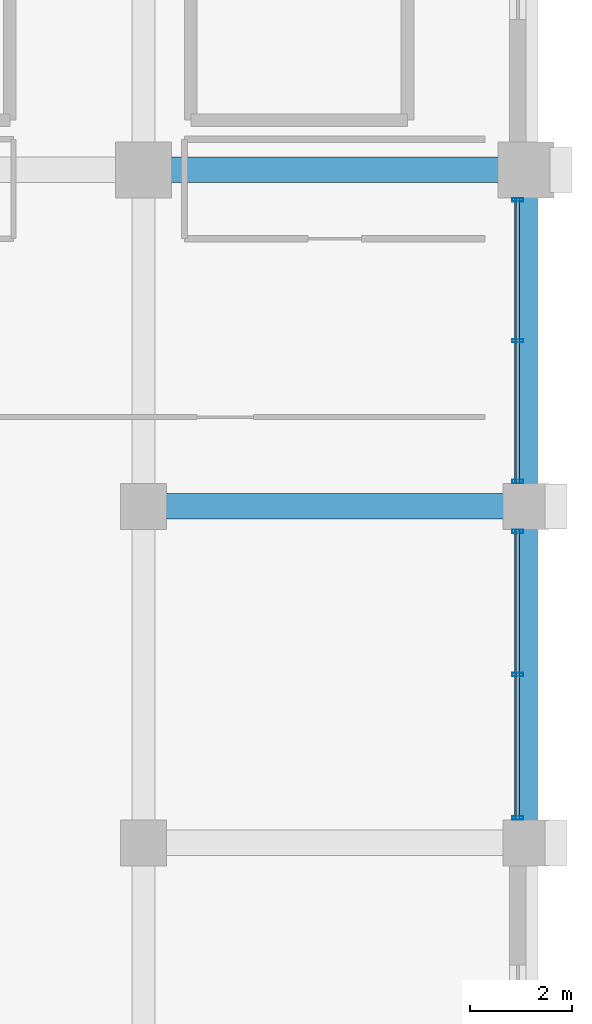
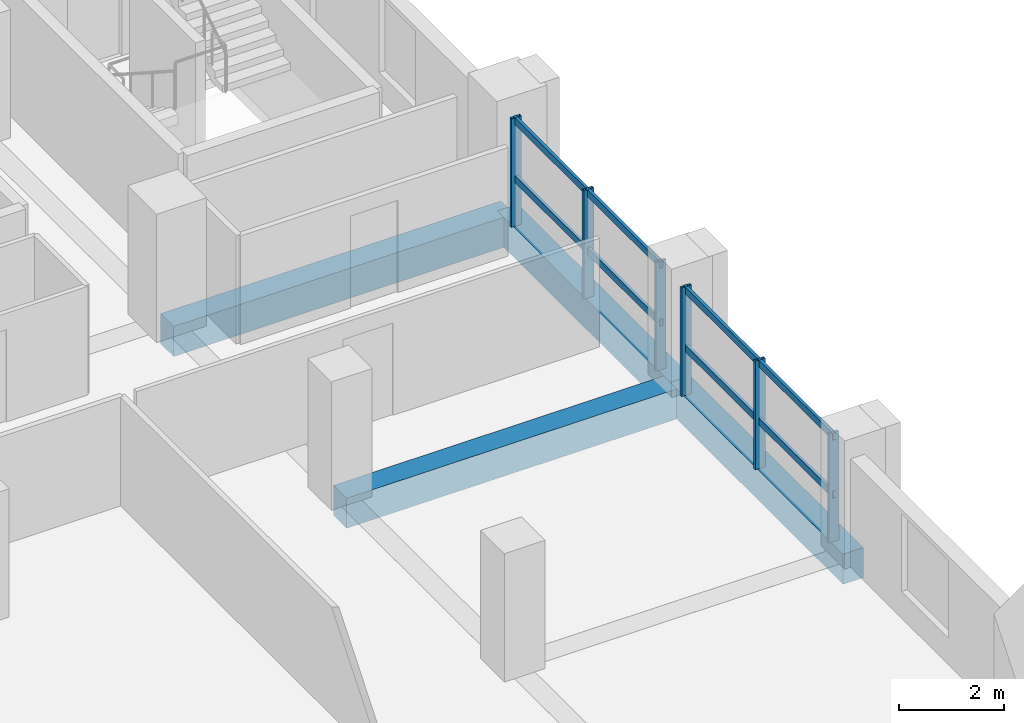
# One storey, part 14 of 21: 10 members, 4 beams, 2 elements without a shape of their own.
"""IFC4 building model written with IfcOpenShell, lengths in metres."""

from ifc_helpers import new_model, si_unit, direction, frame, origin, origin_2d, place, context, subcontext, project, spatial, rectangle, hollow_rectangle, extrude, material, material_profile, profile_set, type_object, element, aggregate, save


model = new_model("IFC4")

# Units and contexts
model_context = context("Model", 3, precision=1e-05, world=origin(), true_north=direction((0.0, 1.0)))
body_context = subcontext(model_context, "Body", "Model", "MODEL_VIEW")
ifc_project = project(units=[si_unit("LENGTHUNIT", "METRE"), si_unit("AREAUNIT", "SQUARE_METRE"), si_unit("VOLUMEUNIT", "CUBIC_METRE"), si_unit("PLANEANGLEUNIT", "RADIAN"), si_unit("MASSUNIT", "GRAM", prefix="KILO")], contexts=[model_context])

# Site, building, storey
site_placement = place(None, origin())
site = spatial("IfcSite", under=ifc_project, at=site_placement, CompositionType="ELEMENT")
building_placement = place(site_placement, origin())
building = spatial("IfcBuilding", under=site, at=building_placement, Name="Akrevak Sports Hall", CompositionType="ELEMENT")
storey_placement = place(building_placement, frame((0.0, 0.0, 27.550048828125)))
storey = spatial("IfcBuildingStorey", under=building, at=storey_placement, Name="L05", CompositionType="ELEMENT", Elevation=27.550048828125)

# Curtain wall, members
ifc_material_1 = material(Name="Anodized Bronze Aluminium & Low-E Glass", Category="aluminium")
curtain_wall_type = type_object("IfcCurtainWallType", Name="ARC-CW-TWR-68x30", PredefinedType="NOTDEFINED", material=ifc_material_1)
curtain_wall_1_placement = place(storey_placement, origin())
curtain_wall_1 = element("IfcCurtainWall", 1, at=curtain_wall_1_placement, inside=storey, type_object=curtain_wall_type, Name="Curtain Wall CW-L05-E15", PredefinedType="NOTDEFINED")
ifc_material_2 = material(Name="Anodized Bronze Aluminium", Category="aluminium")
ifc_material_profile_1 = material_profile(ifc_material_2, hollow_rectangle(XDim=0.06494140625, YDim=0.219970703125, WallThickness=0.00439453125, at=origin_2d()), Name="CWM 65x220", Category="aluminium")
ifc_profile_set_1 = profile_set([ifc_material_profile_1], Name="Anodized Bronze Aluminium")
member_type_1 = type_object("IfcMemberType", Name="ARC-CWM-70x160", PredefinedType="MULLION", material=ifc_profile_set_1)
member_1_placement = place(storey_placement, frame((115.340087890625, 42.489990234375, 0.0), z_axis=(0.0, 0.0, 1.0), x_axis=(0.0, 1.0, 0.0)))
member_1 = element("IfcMember", 2, at=member_1_placement, type_object=member_type_1, Name="Curtain Wall Mullion CW-L05-E15-M1", PredefinedType="MULLION", context=body_context, shape_type="SweptSolid", body=[
    extrude(hollow_rectangle(XDim=0.06494140625, YDim=0.219970703125, WallThickness=0.00439453125, at=origin_2d()), origin(), (0.0, 0.0, 1.0), 2.530029296875),
])
member_2_placement = place(storey_placement, frame((115.340087890625, 45.300048828125, 0.0), z_axis=(0.0, 0.0, 1.0), x_axis=(0.0, 1.0, 0.0)))
member_2 = element("IfcMember", 3, at=member_2_placement, type_object=member_type_1, Name="Curtain Wall Mullion CW-L05-E15-M2", PredefinedType="MULLION", context=body_context, shape_type="SweptSolid", body=[
    extrude(hollow_rectangle(XDim=0.06494140625, YDim=0.219970703125, WallThickness=0.00439453125, at=origin_2d()), origin(), (0.0, 0.0, 1.0), 2.530029296875),
])
member_3_placement = place(storey_placement, frame((115.340087890625, 48.110107421875, 0.0), z_axis=(0.0, 0.0, 1.0), x_axis=(0.0, 1.0, 0.0)))
member_3 = element("IfcMember", 4, at=member_3_placement, type_object=member_type_1, Name="Curtain Wall Mullion CW-L05-E15-M3", PredefinedType="MULLION", context=body_context, shape_type="SweptSolid", body=[
    extrude(hollow_rectangle(XDim=0.06494140625, YDim=0.219970703125, WallThickness=0.00439453125, at=origin_2d()), origin(), (0.0, 0.0, 1.0), 2.530029296875),
])

curtain_wall_2_placement = place(storey_placement, origin())
curtain_wall_2 = element("IfcCurtainWall", 5, at=curtain_wall_2_placement, inside=storey, type_object=curtain_wall_type, Name="Curtain Wall CW-L05-E16", PredefinedType="NOTDEFINED")
member_4_placement = place(storey_placement, frame((115.340087890625, 49.090087890625, 0.0), z_axis=(0.0, 0.0, 1.0), x_axis=(0.0, 1.0, 0.0)))
member_4 = element("IfcMember", 6, at=member_4_placement, type_object=member_type_1, Name="Curtain Wall Mullion CW-L05-E16-M1", PredefinedType="MULLION", context=body_context, shape_type="SweptSolid", body=[
    extrude(hollow_rectangle(XDim=0.06494140625, YDim=0.219970703125, WallThickness=0.00439453125, at=origin_2d()), origin(), (0.0, 0.0, 1.0), 2.530029296875),
])
member_5_placement = place(storey_placement, frame((115.340087890625, 51.85009765625, 0.0), z_axis=(0.0, 0.0, 1.0), x_axis=(0.0, 1.0, 0.0)))
member_5 = element("IfcMember", 7, at=member_5_placement, type_object=member_type_1, Name="Curtain Wall Mullion CW-L05-E16-M2", PredefinedType="MULLION", context=body_context, shape_type="SweptSolid", body=[
    extrude(hollow_rectangle(XDim=0.06494140625, YDim=0.219970703125, WallThickness=0.00439453125, at=origin_2d()), origin(), (0.0, 0.0, 1.0), 2.530029296875),
])
member_6_placement = place(storey_placement, frame((115.340087890625, 54.610107421875, 0.0), z_axis=(0.0, 0.0, 1.0), x_axis=(0.0, 1.0, 0.0)))
member_6 = element("IfcMember", 8, at=member_6_placement, type_object=member_type_1, Name="Curtain Wall Mullion CW-L05-E16-M3", PredefinedType="MULLION", context=body_context, shape_type="SweptSolid", body=[
    extrude(hollow_rectangle(XDim=0.06494140625, YDim=0.219970703125, WallThickness=0.00439453125, at=origin_2d()), origin(), (0.0, 0.0, 1.0), 2.530029296875),
])

# Member
ifc_material_profile_2 = material_profile(ifc_material_2, hollow_rectangle(XDim=0.06494140625, YDim=0.159912109375, WallThickness=0.00390625, at=origin_2d()), Name="CWT 65x160", Category="aluminium")
ifc_profile_set_2 = profile_set([ifc_material_profile_2], Name="Anodized Bronze Aluminium")
member_type_2 = type_object("IfcMemberType", Name="ARC-CWT-70x130", PredefinedType="USERDEFINED", material=ifc_profile_set_2)
member_7_placement = place(storey_placement, frame((115.340087890625, 42.449951171875, 1.099853515625), z_axis=(0.0, 1.0, 0.0), x_axis=(-1.0, 0.0, 0.0)))
member_7 = element("IfcMember", 9, at=member_7_placement, type_object=member_type_2, Name="Curtain Wall Transom CW-L05-E15-T1", ObjectType="TRANSOM", PredefinedType="USERDEFINED", context=body_context, shape_type="SweptSolid", body=[
    extrude(hollow_rectangle(XDim=0.06494140625, YDim=0.159912109375, WallThickness=0.00390625, at=origin_2d()), origin(), (0.0, 0.0, 1.0), 5.699951171875),
])

member_8_placement = place(storey_placement, frame((115.340087890625, 42.449951171875, 2.449951171875), z_axis=(0.0, 1.0, 0.0), x_axis=(-1.0, 0.0, 0.0)))
member_8 = element("IfcMember", 10, at=member_8_placement, type_object=member_type_2, Name="Curtain Wall Transom CW-L05-E15-T2", ObjectType="TRANSOM", PredefinedType="USERDEFINED", context=body_context, shape_type="SweptSolid", body=[
    extrude(hollow_rectangle(XDim=0.06494140625, YDim=0.159912109375, WallThickness=0.00390625, at=origin_2d()), origin(), (0.0, 0.0, 1.0), 5.699951171875),
])

aggregate(curtain_wall_1, [member_1, member_2, member_3, member_7, member_8])

member_9_placement = place(storey_placement, frame((115.340087890625, 49.050048828125, 1.099853515625), z_axis=(0.0, 1.0, 0.0), x_axis=(-1.0, 0.0, 0.0)))
member_9 = element("IfcMember", 11, at=member_9_placement, type_object=member_type_2, Name="Curtain Wall Transom CW-L05-E16-T1", ObjectType="TRANSOM", PredefinedType="USERDEFINED", context=body_context, shape_type="SweptSolid", body=[
    extrude(hollow_rectangle(XDim=0.06494140625, YDim=0.159912109375, WallThickness=0.00390625, at=origin_2d()), origin(), (0.0, 0.0, 1.0), 5.599853515625),
])

member_10_placement = place(storey_placement, frame((115.340087890625, 49.050048828125, 2.449951171875), z_axis=(0.0, 1.0, 0.0), x_axis=(-1.0, 0.0, 0.0)))
member_10 = element("IfcMember", 12, at=member_10_placement, type_object=member_type_2, Name="Curtain Wall Transom CW-L05-E16-T2", ObjectType="TRANSOM", PredefinedType="USERDEFINED", context=body_context, shape_type="SweptSolid", body=[
    extrude(hollow_rectangle(XDim=0.06494140625, YDim=0.159912109375, WallThickness=0.00390625, at=origin_2d()), origin(), (0.0, 0.0, 1.0), 5.599853515625),
])

aggregate(curtain_wall_2, [member_4, member_5, member_6, member_9, member_10])

# Beams
ifc_material_3 = material(Name="Concrete C40/50", Category="concrete")
ifc_material_profile_3 = material_profile(ifc_material_3, rectangle(XDim=0.449951171875, YDim=0.699951171875, at=origin_2d()), Name="BM 450x700", Category="concrete")
ifc_profile_set_3 = profile_set([ifc_material_profile_3], Name="Concrete C40/50")
beam_type_1 = type_object("IfcBeamType", Name="STR-BM-RC450x700", PredefinedType="BEAM", material=ifc_profile_set_3)
beam_1_placement = place(storey_placement, frame((115.5, 42.0, -0.35009765625), z_axis=(0.0, 1.0, 0.0), x_axis=(-1.0, 0.0, 0.0)))
element("IfcBeam", 13, at=beam_1_placement, inside=storey, type_object=beam_type_1, Name="Girder 16/G-H (L05)", PredefinedType="BEAM", context=body_context, shape_type="SweptSolid", body=[
    extrude(rectangle(XDim=0.449951171875, YDim=0.699951171875, at=origin_2d()), origin(), (0.0, 0.0, 1.0), 6.60009765625),
])
beam_2_placement = place(storey_placement, frame((115.5, 48.60009765625, -0.35009765625), z_axis=(0.0, 1.0, 0.0), x_axis=(-1.0, 0.0, 0.0)))
element("IfcBeam", 14, at=beam_2_placement, inside=storey, type_object=beam_type_1, Name="Girder 16/H-I (L05)", PredefinedType="BEAM", context=body_context, shape_type="SweptSolid", body=[
    extrude(rectangle(XDim=0.449951171875, YDim=0.699951171875, at=origin_2d()), origin(), (0.0, 0.0, 1.0), 6.599853515625),
])
ifc_material_profile_4 = material_profile(ifc_material_3, rectangle(XDim=0.5, YDim=0.699951171875, at=origin_2d()), Name="BM 500x700", Category="concrete")
ifc_profile_set_4 = profile_set([ifc_material_profile_4], Name="Concrete C40/50")
beam_type_2 = type_object("IfcBeamType", Name="STR-BM-RC500x700", PredefinedType="BEAM", material=ifc_profile_set_4)
for number, where, z_axis, x_axis, name in (
    (15, (108.0, 48.60009765625, -0.35009765625), (1.0, 0.0, 0.0), (0.0, 1.0, 0.0), "Girder H/15-16 (L05)"),
    (16, (108.0, 55.199951171875, -0.35009765625), (1.0, 0.0, 0.0), (0.0, 1.0, 0.0), "Girder I/15-16 (L05)"),
):
    element("IfcBeam", number, at=place(storey_placement, frame(where, z_axis=z_axis, x_axis=x_axis)), inside=storey, type_object=beam_type_2, Name=name, PredefinedType="BEAM", context=body_context, shape_type="SweptSolid", body=[
        extrude(rectangle(XDim=0.5, YDim=0.699951171875, at=origin_2d()), origin(), (0.0, 0.0, 1.0), 7.5),
    ])

save(model, "model.ifc")
